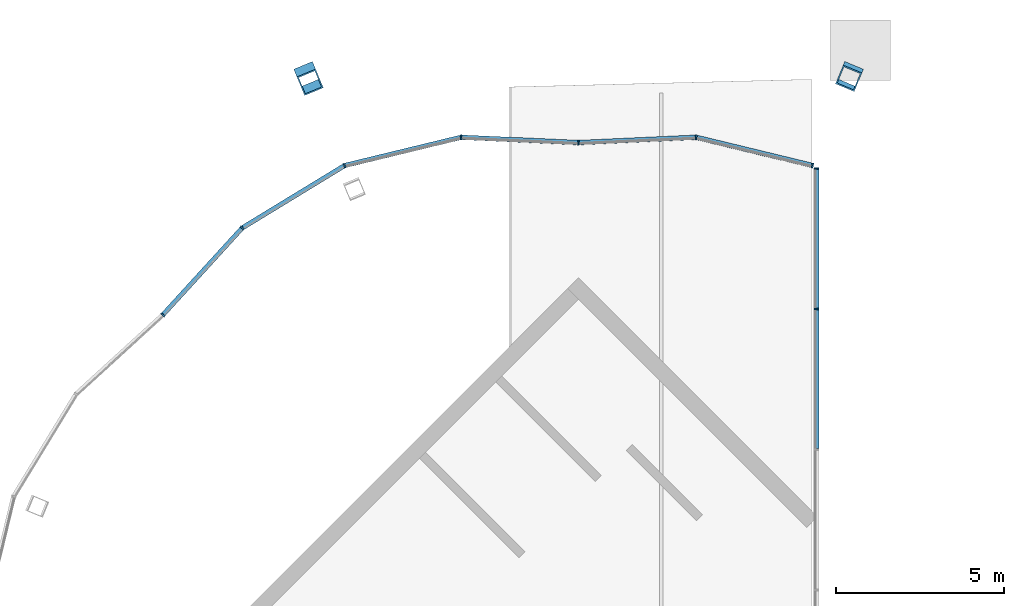
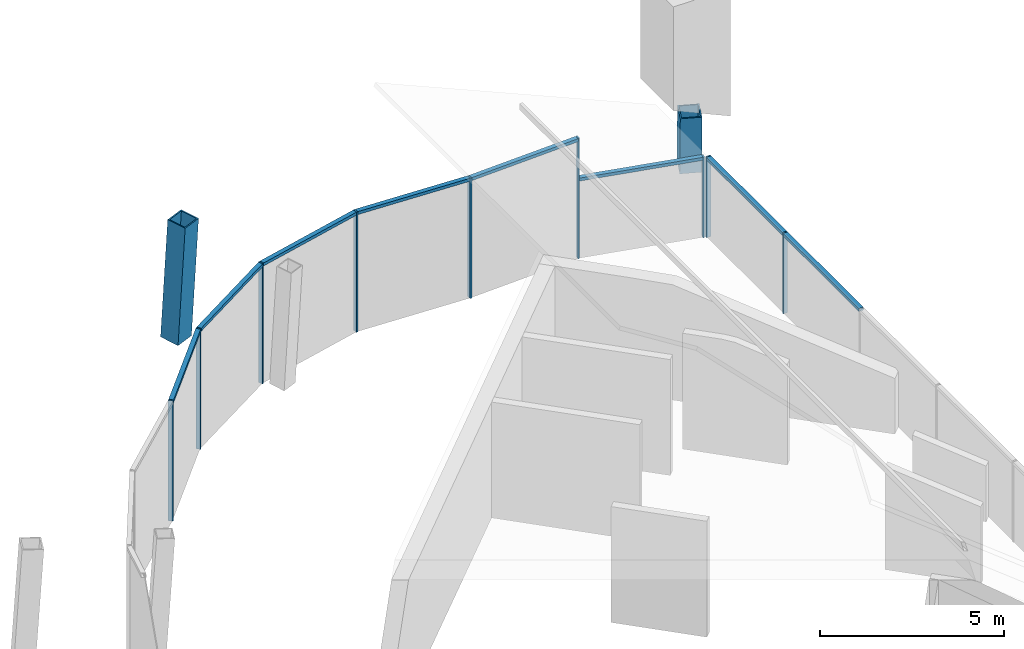
# One storey, part 11 of 14: 19 members, 3 elements without a shape of their own.
"""IFC4 building model written with IfcOpenShell, lengths in metres."""

from ifc_helpers import new_model, si_unit, direction, frame, origin, origin_2d, place, context, subcontext, project, spatial, rectangle, hollow_rectangle, extrude, material, material_profile, profile_set, type_object, element, aggregate, save


model = new_model("IFC4")

# Units and contexts
model_context = context("Model", 3, precision=1e-05, world=origin(), true_north=direction((0.0, 1.0)))
body_context = subcontext(model_context, "Body", "Model", "MODEL_VIEW")
ifc_project = project(units=[si_unit("LENGTHUNIT", "METRE"), si_unit("AREAUNIT", "SQUARE_METRE"), si_unit("VOLUMEUNIT", "CUBIC_METRE"), si_unit("PLANEANGLEUNIT", "RADIAN"), si_unit("MASSUNIT", "GRAM", prefix="KILO")], contexts=[model_context])

# Site, building, storey
site_placement = place(None, origin())
site = spatial("IfcSite", under=ifc_project, at=site_placement, CompositionType="ELEMENT")
building_placement = place(site_placement, origin())
building = spatial("IfcBuilding", under=site, at=building_placement, Name="Ogive Gate Towers", CompositionType="ELEMENT")
storey_placement = place(building_placement, frame((0.0, 0.0, 306.0)))
storey = spatial("IfcBuildingStorey", under=building, at=storey_placement, Name="L72", CompositionType="ELEMENT", Elevation=306.0)

# Curtain wall, members
ifc_material_1 = material(Name="Pale metal aluminium", Category="aluminium")
curtain_wall_type = type_object("IfcCurtainWallType", Name="Crown lean wall", PredefinedType="NOTDEFINED", material=ifc_material_1)
curtain_wall_1_placement = place(storey_placement, origin())
curtain_wall_1 = element("IfcCurtainWall", 1, at=curtain_wall_1_placement, inside=storey, type_object=curtain_wall_type, Name="CW5 T2 ECW02", PredefinedType="NOTDEFINED")
ifc_material_profile_1 = material_profile(ifc_material_1, rectangle(XDim=0.139892578125, YDim=0.050048828125, at=origin_2d()), Name="50 x 140 aluminium box")
ifc_profile_set_1 = profile_set([ifc_material_profile_1], Name="Pale metal aluminium")
member_type_1 = type_object("IfcMemberType", Name="Crown lean wall mullion 50 x 140", PredefinedType="MULLION", material=ifc_profile_set_1)
member_1_placement = place(storey_placement, frame((35.99853515625, 17.4501953125, -0.300048828125), z_axis=(0.0, 0.0, 1.0), x_axis=(0.045275811329, -0.998974524654, 0.0)))
member_1 = element("IfcMember", 2, at=member_1_placement, type_object=member_type_1, Name="CW5 mullion", PredefinedType="MULLION", context=body_context, shape_type="SweptSolid", body=[
    extrude(rectangle(XDim=0.139892578125, YDim=0.050048828125, at=origin_2d()), origin(), (0.0, 0.0, 1.0), 4.0),
])
member_2_placement = place(storey_placement, frame((39.489013671875, 17.60791015625, -0.300048828125), z_axis=(0.0, 0.0, 1.0), x_axis=(-0.096158460724, -0.995366038416, 0.0)))
member_2 = element("IfcMember", 3, at=member_2_placement, type_object=member_type_1, Name="CW5 mullion", PredefinedType="MULLION", context=body_context, shape_type="SweptSolid", body=[
    extrude(rectangle(XDim=0.139892578125, YDim=0.050048828125, at=origin_2d()), origin(), (0.0, 0.0, 1.0), 4.0),
])
member_3_placement = place(storey_placement, frame((42.94189453125, 16.77099609375, -0.300048828125), z_axis=(0.0, 0.0, 1.0), x_axis=(-0.23568492183, -0.971829520864, 0.0)))
member_3 = element("IfcMember", 4, at=member_3_placement, type_object=member_type_1, Name="CW5 mullion", PredefinedType="MULLION", context=body_context, shape_type="SweptSolid", body=[
    extrude(rectangle(XDim=0.139892578125, YDim=0.050048828125, at=origin_2d()), origin(), (0.0, 0.0, 1.0), 2.677734375),
])

curtain_wall_2_placement = place(storey_placement, origin())
curtain_wall_2 = element("IfcCurtainWall", 5, at=curtain_wall_2_placement, inside=storey, type_object=curtain_wall_type, Name="CW5 T2 ECW02b", PredefinedType="NOTDEFINED")
member_4_placement = place(storey_placement, frame((43.059326171875, 16.68408203125, -0.300048828125), z_axis=(0.0, 0.0, 1.0), x_axis=(-1.0, 0.0, 0.0)))
member_4 = element("IfcMember", 6, at=member_4_placement, type_object=member_type_1, Name="CW5 mullion", PredefinedType="MULLION", context=body_context, shape_type="SweptSolid", body=[
    extrude(rectangle(XDim=0.139892578125, YDim=0.050048828125, at=origin_2d()), origin(), (0.0, 0.0, 1.0), 2.679931640625),
])
member_5_placement = place(storey_placement, frame((43.059326171875, 12.51318359375, -0.300048828125), z_axis=(0.0, 0.0, 1.0), x_axis=(-1.0, 0.0, 0.0)))
member_5 = element("IfcMember", 7, at=member_5_placement, type_object=member_type_1, Name="CW5 mullion", PredefinedType="MULLION", context=body_context, shape_type="SweptSolid", body=[
    extrude(rectangle(XDim=0.139892578125, YDim=0.050048828125, at=origin_2d()), origin(), (0.0, 0.0, 1.0), 2.679931640625),
])

curtain_wall_3_placement = place(storey_placement, origin())
curtain_wall_3 = element("IfcCurtainWall", 8, at=curtain_wall_3_placement, inside=storey, type_object=curtain_wall_type, Name="CW5 T2 ECW03", PredefinedType="NOTDEFINED")
member_6_placement = place(storey_placement, frame((23.659912109375, 12.338134765625, -0.300048828125), z_axis=(0.0, 0.0, 1.0), x_axis=(0.738408263639, -0.674353939849, 0.0)))
member_6 = element("IfcMember", 9, at=member_6_placement, type_object=member_type_1, Name="CW5 mullion", PredefinedType="MULLION", context=body_context, shape_type="SweptSolid", body=[
    extrude(rectangle(XDim=0.139892578125, YDim=0.050048828125, at=origin_2d()), origin(), (0.0, 0.0, 1.0), 4.0),
])
member_7_placement = place(storey_placement, frame((26.016357421875, 14.91796875, -0.300048828125), z_axis=(0.0, 0.0, 1.0), x_axis=(0.635822304907, -0.771835472483, 0.0)))
member_7 = element("IfcMember", 10, at=member_7_placement, type_object=member_type_1, Name="CW5 mullion", PredefinedType="MULLION", context=body_context, shape_type="SweptSolid", body=[
    extrude(rectangle(XDim=0.139892578125, YDim=0.050048828125, at=origin_2d()), origin(), (0.0, 0.0, 1.0), 4.0),
])
member_8_placement = place(storey_placement, frame((29.0537109375, 16.76953125, -0.300048828125), z_axis=(0.0, 0.0, 1.0), x_axis=(0.382667307567, -0.923886211456, 0.0)))
member_8 = element("IfcMember", 11, at=member_8_placement, type_object=member_type_1, Name="CW5 mullion", PredefinedType="MULLION", context=body_context, shape_type="SweptSolid", body=[
    extrude(rectangle(XDim=0.139892578125, YDim=0.050048828125, at=origin_2d()), origin(), (0.0, 0.0, 1.0), 4.0),
])
member_9_placement = place(storey_placement, frame((32.510986328125, 17.60791015625, -0.300048828125), z_axis=(0.0, 0.0, 1.0), x_axis=(0.096158460724, -0.995366038416, 0.0)))
member_9 = element("IfcMember", 12, at=member_9_placement, type_object=member_type_1, Name="CW5 mullion", PredefinedType="MULLION", context=body_context, shape_type="SweptSolid", body=[
    extrude(rectangle(XDim=0.139892578125, YDim=0.050048828125, at=origin_2d()), origin(), (0.0, 0.0, 1.0), 4.0),
])

# Member
ifc_material_profile_2 = material_profile(ifc_material_1, rectangle(XDim=0.139892578125, YDim=0.10009765625, at=origin_2d()), Name="100 x 140 aluminium box")
ifc_profile_set_2 = profile_set([ifc_material_profile_2], Name="Pale metal aluminium")
member_type_2 = type_object("IfcMemberType", Name="Crown lean wall transom 100 x 140", PredefinedType="USERDEFINED", material=ifc_profile_set_2)
member_10_placement = place(storey_placement, frame((36.023681640625, 17.451171875, 3.64990234375), z_axis=(0.998974239594, 0.045282100523, 0.0), x_axis=(-0.045282100523, 0.998974239594, 0.0)))
member_10 = element("IfcMember", 13, at=member_10_placement, type_object=member_type_2, Name="CW5 transom", ObjectType="TRANSOM", PredefinedType="USERDEFINED", context=body_context, shape_type="SweptSolid", body=[
    extrude(rectangle(XDim=0.139892578125, YDim=0.10009765625, at=origin_2d()), origin(), (0.0, 0.0, 1.0), 3.439697265625),
])

member_11_placement = place(storey_placement, frame((39.517578125, 17.601318359375, 2.32763671875), z_axis=(0.971834124793, -0.235665937055, 0.0), x_axis=(0.235665937055, 0.971834124793, 0.0)))
member_11 = element("IfcMember", 14, at=member_11_placement, type_object=member_type_2, Name="CW5 transom", ObjectType="TRANSOM", PredefinedType="USERDEFINED", context=body_context, shape_type="SweptSolid", body=[
    extrude(rectangle(XDim=0.139892578125, YDim=0.10009765625, at=origin_2d()), origin(), (0.0, 0.0, 1.0), 3.49853515625),
])

aggregate(curtain_wall_1, [member_1, member_2, member_10, member_3, member_11])

member_12_placement = place(storey_placement, frame((43.059326171875, 16.6591796875, 2.330078125), z_axis=(0.0, -1.0, 0.0), x_axis=(1.0, 0.0, 0.0)))
member_12 = element("IfcMember", 15, at=member_12_placement, type_object=member_type_2, Name="CW5 transom", ObjectType="TRANSOM", PredefinedType="USERDEFINED", context=body_context, shape_type="SweptSolid", body=[
    extrude(rectangle(XDim=0.139892578125, YDim=0.10009765625, at=origin_2d()), origin(), (0.0, 0.0, 1.0), 4.12109375),
])

member_13_placement = place(storey_placement, frame((43.059326171875, 12.488037109375, 2.330078125), z_axis=(0.0, -1.0, 0.0), x_axis=(1.0, 0.0, 0.0)))
member_13 = element("IfcMember", 16, at=member_13_placement, type_object=member_type_2, Name="CW5 transom", ObjectType="TRANSOM", PredefinedType="USERDEFINED", context=body_context, shape_type="SweptSolid", body=[
    extrude(rectangle(XDim=0.139892578125, YDim=0.10009765625, at=origin_2d()), origin(), (0.0, 0.0, 1.0), 4.12109375),
])

aggregate(curtain_wall_2, [member_4, member_5, member_12, member_13])

member_14_placement = place(storey_placement, frame((23.6767578125, 12.356689453125, 3.64990234375), z_axis=(0.674409034636, 0.738357944361, 0.0), x_axis=(-0.738357944361, 0.674409034636, 0.0)))
member_14 = element("IfcMember", 17, at=member_14_placement, type_object=member_type_2, Name="CW5 transom", ObjectType="TRANSOM", PredefinedType="USERDEFINED", context=body_context, shape_type="SweptSolid", body=[
    extrude(rectangle(XDim=0.139892578125, YDim=0.10009765625, at=origin_2d()), origin(), (0.0, 0.0, 1.0), 3.439697265625),
])

member_15_placement = place(storey_placement, frame((26.041259765625, 14.933349609375, 3.64990234375), z_axis=(0.853838541215, 0.520537938613, 0.0), x_axis=(-0.520537938613, 0.853838541215, 0.0)))
member_15 = element("IfcMember", 18, at=member_15_placement, type_object=member_type_2, Name="CW5 transom", ObjectType="TRANSOM", PredefinedType="USERDEFINED", context=body_context, shape_type="SweptSolid", body=[
    extrude(rectangle(XDim=0.139892578125, YDim=0.10009765625, at=origin_2d()), origin(), (0.0, 0.0, 1.0), 3.498291015625),
])

member_16_placement = place(storey_placement, frame((29.08251953125, 16.77685546875, 3.64990234375), z_axis=(0.971834124793, 0.235665937055, 0.0), x_axis=(-0.235665937055, 0.971834124793, 0.0)))
member_16 = element("IfcMember", 19, at=member_16_placement, type_object=member_type_2, Name="CW5 transom", ObjectType="TRANSOM", PredefinedType="USERDEFINED", context=body_context, shape_type="SweptSolid", body=[
    extrude(rectangle(XDim=0.139892578125, YDim=0.10009765625, at=origin_2d()), origin(), (0.0, 0.0, 1.0), 3.49853515625),
])

member_17_placement = place(storey_placement, frame((32.5400390625, 17.60693359375, 3.64990234375), z_axis=(0.998974239594, -0.045282100523, 0.0), x_axis=(0.045282100523, 0.998974239594, 0.0)))
member_17 = element("IfcMember", 20, at=member_17_placement, type_object=member_type_2, Name="CW5 transom", ObjectType="TRANSOM", PredefinedType="USERDEFINED", context=body_context, shape_type="SweptSolid", body=[
    extrude(rectangle(XDim=0.139892578125, YDim=0.10009765625, at=origin_2d()), origin(), (0.0, 0.0, 1.0), 3.439697265625),
])

aggregate(curtain_wall_3, [member_6, member_7, member_14, member_8, member_15, member_9, member_16, member_17])

# Members
ifc_material_2 = material(Name="Steel SM460", Category="steel")
ifc_material_profile_3 = material_profile(ifc_material_2, hollow_rectangle(XDim=0.60009765625, YDim=0.60009765625, WallThickness=0.0400390625, at=origin_2d()), Name="BX 600x600x40")
ifc_profile_set_3 = profile_set([ifc_material_profile_3], Name="Steel SM460")
member_type_3 = type_object("IfcMemberType", Name="Crown rib BX 600x600x40", PredefinedType="MEMBER", material=ifc_profile_set_3)
member_18_placement = place(storey_placement, frame((44.0634765625, 19.467041015625, 0.0), z_axis=(-0.023316281603, -0.056315827697, 0.998140710803), x_axis=(0.923940414925, -0.382536416134, 0.0)))
element("IfcMember", 21, at=member_18_placement, inside=storey, type_object=member_type_3, Name="T2/L72/STR001", PredefinedType="MEMBER", context=body_context, shape_type="SweptSolid", body=[
    extrude(hollow_rectangle(XDim=0.60009765625, YDim=0.60009765625, WallThickness=0.0400390625, at=origin_2d()), origin(), (0.0, 0.0, 1.0), 1.916259765625),
])
member_19_placement = place(storey_placement, frame((27.9365234375, 19.467041015625, 0.0), z_axis=(0.023332943868, -0.056352410126, 0.998138256758), x_axis=(0.923931628801, 0.382557636574, 0.0)))
element("IfcMember", 22, at=member_19_placement, inside=storey, type_object=member_type_3, Name="T2/L72/STR002", PredefinedType="MEMBER", context=body_context, shape_type="SweptSolid", body=[
    extrude(hollow_rectangle(XDim=0.60009765625, YDim=0.60009765625, WallThickness=0.0400390625, at=origin_2d()), origin(), (0.0, 0.0, 1.0), 4.007568359375),
])

save(model, "model.ifc")
